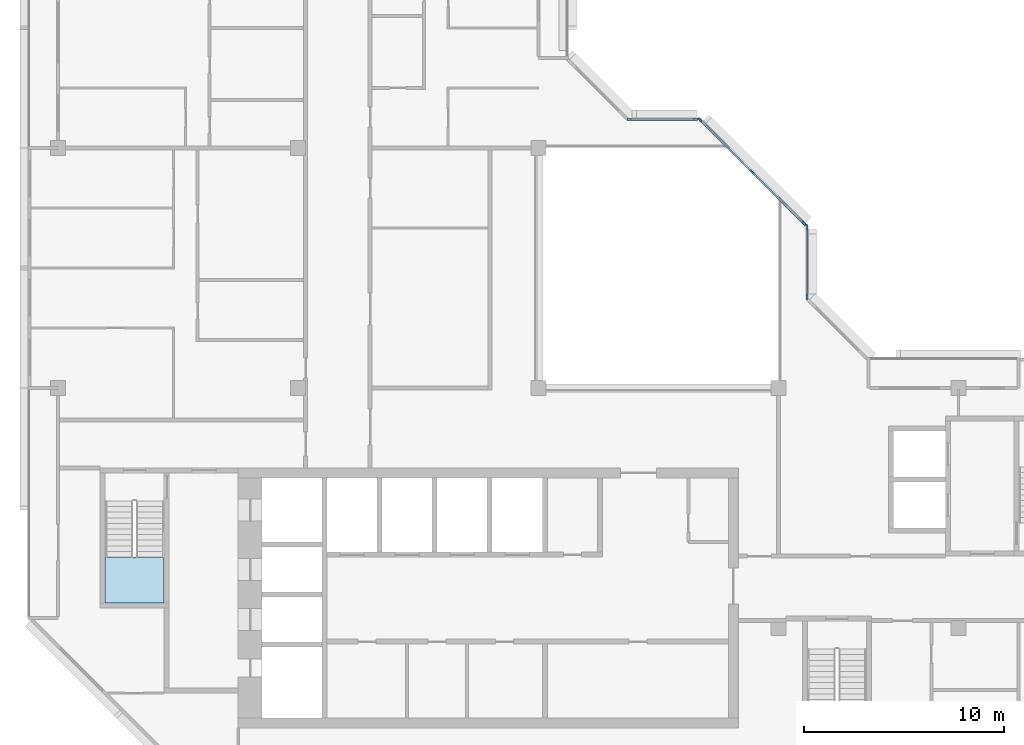
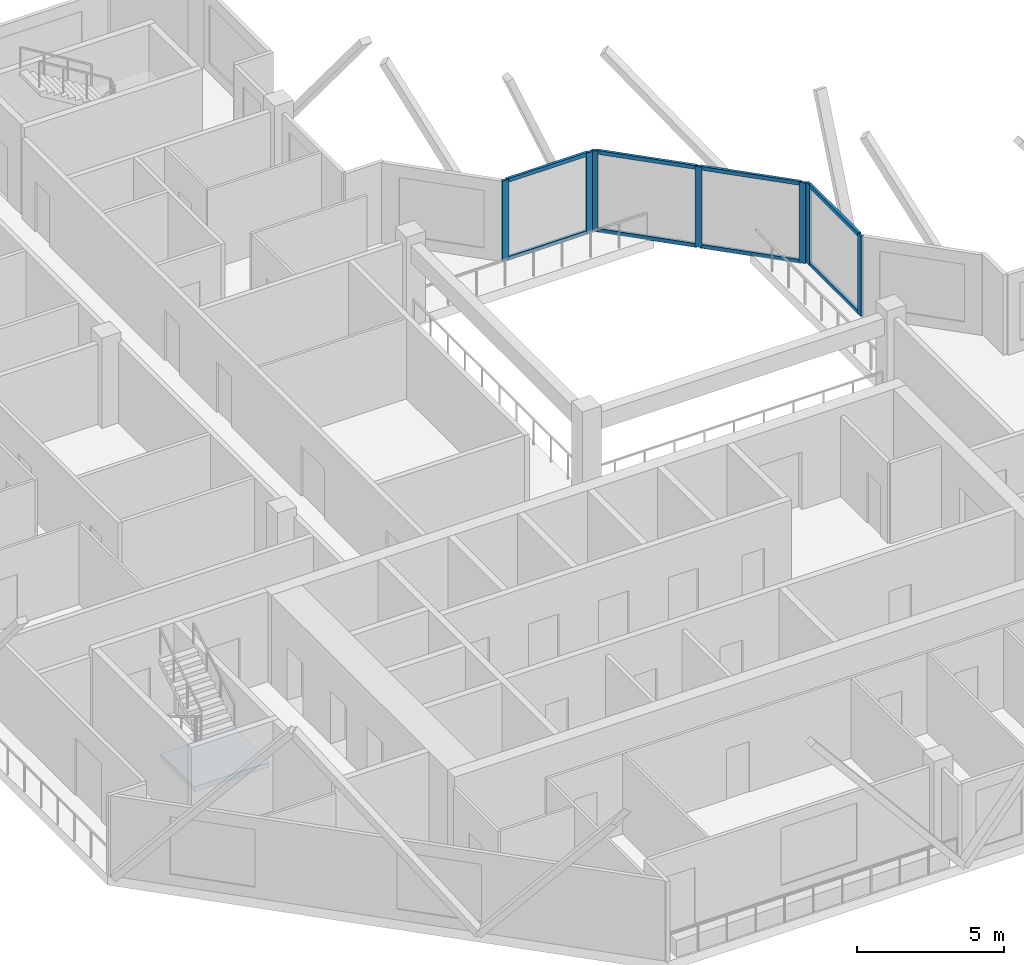
# One storey, part 2 of 12: 15 members, 1 slab, 4 elements without a shape of their own.
"""IFC4 building model written with IfcOpenShell, lengths in metres."""

from ifc_helpers import new_model, si_unit, direction, frame, origin, origin_2d, place, context, subcontext, project, spatial, polyline, rectangle, outline, extrude, material, layer, layer_set, material_profile, profile_set, type_object, element, aggregate, save


model = new_model("IFC4")

# Units and contexts
model_context = context("Model", 3, precision=1e-05, world=origin(), true_north=direction((0.0, 1.0)))
body_context = subcontext(model_context, "Body", "Model", "MODEL_VIEW")
ifc_project = project(units=[si_unit("LENGTHUNIT", "METRE"), si_unit("AREAUNIT", "SQUARE_METRE"), si_unit("VOLUMEUNIT", "CUBIC_METRE"), si_unit("PLANEANGLEUNIT", "RADIAN"), si_unit("MASSUNIT", "GRAM", prefix="KILO")], contexts=[model_context])

# Site, building, storey
site_placement = place(None, origin())
site = spatial("IfcSite", under=ifc_project, at=site_placement, CompositionType="ELEMENT")
building_placement = place(site_placement, origin())
building = spatial("IfcBuilding", under=site, at=building_placement, Name="Chenar Terraces", CompositionType="ELEMENT")
storey_placement = place(building_placement, frame((0.0, 0.0, 361.39990234375)))
storey = spatial("IfcBuildingStorey", under=building, at=storey_placement, Name="L84", CompositionType="ELEMENT", Elevation=361.39990234375)

# Curtain wall, members
ifc_material_1 = material(Name="Aluminium framed glazing", Category="aluminium")
ifc_layer_1 = layer(ifc_material_1, 0.14990234375)
ifc_layer_set_1 = layer_set([ifc_layer_1], Name="Aluminium framed glazing")
curtain_wall_type = type_object("IfcCurtainWallType", Name="Atrium upper-zone curtain wall", PredefinedType="NOTDEFINED", material=ifc_layer_set_1)
placement = place(storey_placement, origin())
curtain_wall_1 = element("IfcCurtainWall", 1, at=placement, inside=storey, type_object=curtain_wall_type, Name="Atrium upper-zone curtain wall", PredefinedType="NOTDEFINED")
ifc_material_2 = material(Name="Aluminium", Category="aluminium")
ifc_material_profile_1 = material_profile(ifc_material_2, rectangle(XDim=0.10009765625, YDim=0.239990234375, at=origin_2d()), Name="Atrium upper-zone glazing mullion 100 x 240")
ifc_profile_set_1 = profile_set([ifc_material_profile_1], Name="Aluminium")
member_type_1 = type_object("IfcMemberType", Name="Atrium upper-zone glazing mullion 100 x 240", PredefinedType="MULLION", material=ifc_profile_set_1)
member_1_placement = place(storey_placement, frame((37.425048828125, 28.550048828125, 0.0), z_axis=(0.0, 0.0, 1.0), x_axis=(-1.0, 0.0, 0.0)))
member_1 = element("IfcMember", 2, at=member_1_placement, type_object=member_type_1, Name="CW8-1 mullion 1", PredefinedType="MULLION", context=body_context, shape_type="SweptSolid", body=[
    extrude(rectangle(XDim=0.10009765625, YDim=0.239990234375, at=origin_2d()), origin(), (0.0, 0.0, 1.0), 3.35009765625),
])
member_2_placement = place(storey_placement, frame((37.425048828125, 32.050048828125, 0.0), z_axis=(0.0, 0.0, 1.0), x_axis=(-1.0, 0.0, 0.0)))
member_2 = element("IfcMember", 3, at=member_2_placement, type_object=member_type_1, Name="CW8-1 mullion 2", PredefinedType="MULLION", context=body_context, shape_type="SweptSolid", body=[
    extrude(rectangle(XDim=0.10009765625, YDim=0.239990234375, at=origin_2d()), origin(), (0.0, 0.0, 1.0), 3.35009765625),
])

curtain_wall_2 = element("IfcCurtainWall", 4, at=placement, inside=storey, type_object=curtain_wall_type, Name="Atrium upper-zone curtain wall", PredefinedType="NOTDEFINED")
member_3_placement = place(storey_placement, frame((37.270263671875, 32.2236328125, 0.0), z_axis=(0.0, 0.0, 1.0), x_axis=(-0.707106781187, -0.707106781187, 0.0)))
member_3 = element("IfcMember", 5, at=member_3_placement, type_object=member_type_1, Name="CW8-2 mullion 1", PredefinedType="MULLION", context=body_context, shape_type="SweptSolid", body=[
    extrude(rectangle(XDim=0.10009765625, YDim=0.239990234375, at=origin_2d()), origin(), (0.0, 0.0, 1.0), 3.35009765625),
])
member_4_placement = place(storey_placement, frame((34.67626953125, 34.817626953125, 0.0), z_axis=(0.0, 0.0, 1.0), x_axis=(-0.707106781187, -0.707106781187, 0.0)))
member_4 = element("IfcMember", 6, at=member_4_placement, type_object=member_type_1, Name="CW8-2 mullion 2", PredefinedType="MULLION", context=body_context, shape_type="SweptSolid", body=[
    extrude(rectangle(XDim=0.10009765625, YDim=0.239990234375, at=origin_2d()), origin(), (0.0, 0.0, 1.0), 3.35009765625),
])
member_5_placement = place(storey_placement, frame((32.082275390625, 37.41162109375, 0.0), z_axis=(0.0, 0.0, 1.0), x_axis=(-0.707106781187, -0.707106781187, 0.0)))
member_5 = element("IfcMember", 7, at=member_5_placement, type_object=member_type_1, Name="CW8-2 mullion 3", PredefinedType="MULLION", context=body_context, shape_type="SweptSolid", body=[
    extrude(rectangle(XDim=0.10009765625, YDim=0.239990234375, at=origin_2d()), origin(), (0.0, 0.0, 1.0), 3.35009765625),
])

curtain_wall_3 = element("IfcCurtainWall", 8, at=placement, inside=storey, type_object=curtain_wall_type, Name="Atrium upper-zone curtain wall", PredefinedType="NOTDEFINED")
member_6_placement = place(storey_placement, frame((31.85009765625, 37.425048828125, 0.0), z_axis=(0.0, 0.0, 1.0), x_axis=(0.0, -1.0, 0.0)))
member_6 = element("IfcMember", 9, at=member_6_placement, type_object=member_type_1, Name="CW8-3 mullion 1", PredefinedType="MULLION", context=body_context, shape_type="SweptSolid", body=[
    extrude(rectangle(XDim=0.10009765625, YDim=0.239990234375, at=origin_2d()), origin(), (0.0, 0.0, 1.0), 3.35009765625),
])
member_7_placement = place(storey_placement, frame((28.550048828125, 37.425048828125, 0.0), z_axis=(0.0, 0.0, 1.0), x_axis=(0.0, -1.0, 0.0)))
member_7 = element("IfcMember", 10, at=member_7_placement, type_object=member_type_1, Name="CW8-3 mullion 2", PredefinedType="MULLION", context=body_context, shape_type="SweptSolid", body=[
    extrude(rectangle(XDim=0.10009765625, YDim=0.239990234375, at=origin_2d()), origin(), (0.0, 0.0, 1.0), 3.35009765625),
])

# Member
ifc_material_3 = material(Name="Aluminium", Category="aluminium")
ifc_material_profile_2 = material_profile(ifc_material_3, rectangle(XDim=0.10009765625, YDim=0.159912109375, at=origin_2d()), Name="Atrium upper-zone glazing transom 100 x 160")
ifc_profile_set_2 = profile_set([ifc_material_profile_2], Name="Aluminium")
member_type_2 = type_object("IfcMemberType", Name="Atrium upper-zone glazing transom 100 x 160", PredefinedType="USERDEFINED", material=ifc_profile_set_2)
member_8_placement = place(storey_placement, frame((37.425048828125, 28.60009765625, 0.050048828125), z_axis=(0.0, 1.0, 0.0), x_axis=(-1.0, 0.0, 0.0)))
member_8 = element("IfcMember", 11, at=member_8_placement, type_object=member_type_2, Name="CW8-1 transom 1.1", ObjectType="TRANSOM", PredefinedType="USERDEFINED", context=body_context, shape_type="SweptSolid", body=[
    extrude(rectangle(XDim=0.10009765625, YDim=0.159912109375, at=origin_2d()), origin(), (0.0, 0.0, 1.0), 3.39990234375),
])

member_9_placement = place(storey_placement, frame((37.425048828125, 28.60009765625, 3.300048828125), z_axis=(0.0, 1.0, 0.0), x_axis=(-1.0, 0.0, 0.0)))
member_9 = element("IfcMember", 12, at=member_9_placement, type_object=member_type_2, Name="CW8-1 transom 1.2", ObjectType="TRANSOM", PredefinedType="USERDEFINED", context=body_context, shape_type="SweptSolid", body=[
    extrude(rectangle(XDim=0.10009765625, YDim=0.159912109375, at=origin_2d()), origin(), (0.0, 0.0, 1.0), 3.39990234375),
])

aggregate(curtain_wall_1, [member_1, member_2, member_8, member_9])

member_10_placement = place(storey_placement, frame((37.23486328125, 32.259033203125, 0.050048828125), z_axis=(-0.707106781187, 0.707106781187, 0.0), x_axis=(-0.707106781187, -0.707106781187, 0.0)))
member_10 = element("IfcMember", 13, at=member_10_placement, type_object=member_type_2, Name="CW8-2 transom 1.1", ObjectType="TRANSOM", PredefinedType="USERDEFINED", context=body_context, shape_type="SweptSolid", body=[
    extrude(rectangle(XDim=0.10009765625, YDim=0.159912109375, at=origin_2d()), origin(), (0.0, 0.0, 1.0), 3.568359375),
])

member_11_placement = place(storey_placement, frame((37.23486328125, 32.259033203125, 3.300048828125), z_axis=(-0.707106781187, 0.707106781187, 0.0), x_axis=(-0.707106781187, -0.707106781187, 0.0)))
member_11 = element("IfcMember", 14, at=member_11_placement, type_object=member_type_2, Name="CW8-2 transom 1.2", ObjectType="TRANSOM", PredefinedType="USERDEFINED", context=body_context, shape_type="SweptSolid", body=[
    extrude(rectangle(XDim=0.10009765625, YDim=0.159912109375, at=origin_2d()), origin(), (0.0, 0.0, 1.0), 3.568359375),
])

member_12_placement = place(storey_placement, frame((34.640869140625, 34.85302734375, 0.050048828125), z_axis=(-0.707106781187, 0.707106781187, 0.0), x_axis=(-0.707106781187, -0.707106781187, 0.0)))
member_12 = element("IfcMember", 15, at=member_12_placement, type_object=member_type_2, Name="CW8-2 transom 2.1", ObjectType="TRANSOM", PredefinedType="USERDEFINED", context=body_context, shape_type="SweptSolid", body=[
    extrude(rectangle(XDim=0.10009765625, YDim=0.159912109375, at=origin_2d()), origin(), (0.0, 0.0, 1.0), 3.568359375),
])

member_13_placement = place(storey_placement, frame((34.640869140625, 34.85302734375, 3.300048828125), z_axis=(-0.707106781187, 0.707106781187, 0.0), x_axis=(-0.707106781187, -0.707106781187, 0.0)))
member_13 = element("IfcMember", 16, at=member_13_placement, type_object=member_type_2, Name="CW8-2 transom 2.2", ObjectType="TRANSOM", PredefinedType="USERDEFINED", context=body_context, shape_type="SweptSolid", body=[
    extrude(rectangle(XDim=0.10009765625, YDim=0.159912109375, at=origin_2d()), origin(), (0.0, 0.0, 1.0), 3.568359375),
])

aggregate(curtain_wall_2, [member_3, member_4, member_5, member_10, member_11, member_12, member_13])

member_14_placement = place(storey_placement, frame((31.800048828125, 37.425048828125, 0.050048828125), z_axis=(-1.0, 0.0, 0.0), x_axis=(0.0, -1.0, 0.0)))
member_14 = element("IfcMember", 17, at=member_14_placement, type_object=member_type_2, Name="CW8-3 transom 1.1", ObjectType="TRANSOM", PredefinedType="USERDEFINED", context=body_context, shape_type="SweptSolid", body=[
    extrude(rectangle(XDim=0.10009765625, YDim=0.159912109375, at=origin_2d()), origin(), (0.0, 0.0, 1.0), 3.199951171875),
])

member_15_placement = place(storey_placement, frame((31.800048828125, 37.425048828125, 3.300048828125), z_axis=(-1.0, 0.0, 0.0), x_axis=(0.0, -1.0, 0.0)))
member_15 = element("IfcMember", 18, at=member_15_placement, type_object=member_type_2, Name="CW8-3 transom 1.2", ObjectType="TRANSOM", PredefinedType="USERDEFINED", context=body_context, shape_type="SweptSolid", body=[
    extrude(rectangle(XDim=0.10009765625, YDim=0.159912109375, at=origin_2d()), origin(), (0.0, 0.0, 1.0), 3.199951171875),
])

aggregate(curtain_wall_3, [member_6, member_7, member_14, member_15])

# Stair, slab
ifc_material_4 = material(Name="Reinforced concrete C40/50", Category="concrete")
stair_type = type_object("IfcStairType", Name="Core stair 1400 half-turn", PredefinedType="HALF_TURN_STAIR", material=ifc_material_4)
stair = element("IfcStair", 19, at=placement, inside=storey, type_object=stair_type, Name="L84 Stair 1", PredefinedType="HALF_TURN_STAIR")
ifc_material_5 = material(Name="Reinforced concrete C40/50", Category="concrete")
ifc_layer_2 = layer(ifc_material_5, 0.199951171875)
ifc_layer_set_2 = layer_set([ifc_layer_2], Name="Reinforced concrete C40/50")
slab_type = type_object("IfcSlabType", Name="Core stair landing 200", PredefinedType="LANDING", material=ifc_layer_set_2)
slab_placement = place(storey_placement, frame((0.0, 0.0, 1.675048828125)))
slab = element("IfcSlab", 20, at=slab_placement, type_object=slab_type, Name="ST1 landing 1", PredefinedType="LANDING", context=body_context, shape_type="SweptSolid", body=[
    extrude(outline(polyline([(2.35009765625, 15.550048828125), (2.35009765625, 13.25), (5.300048828125, 13.25), (5.300048828125, 15.550048828125), (2.35009765625, 15.550048828125)])), origin(), (0.0, 0.0, 1.0), 0.199951171875),
])
aggregate(stair, [slab])

save(model, "model.ifc")
